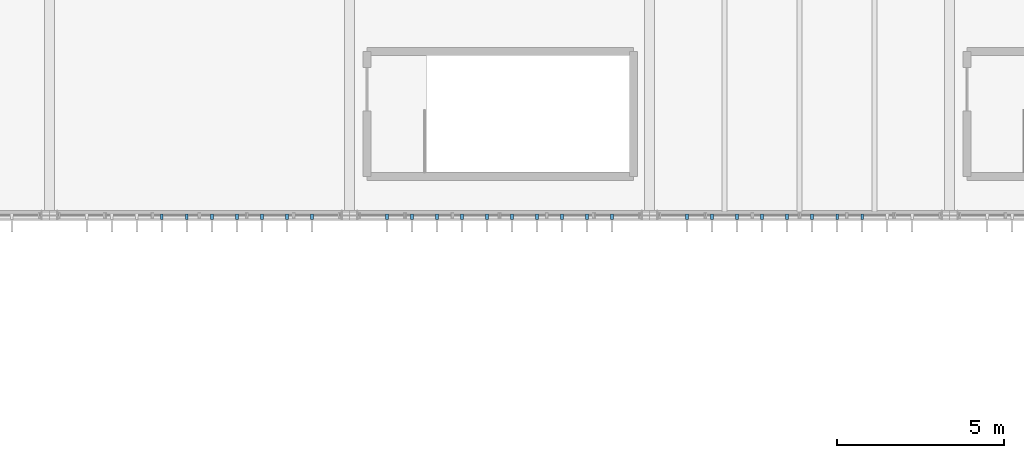
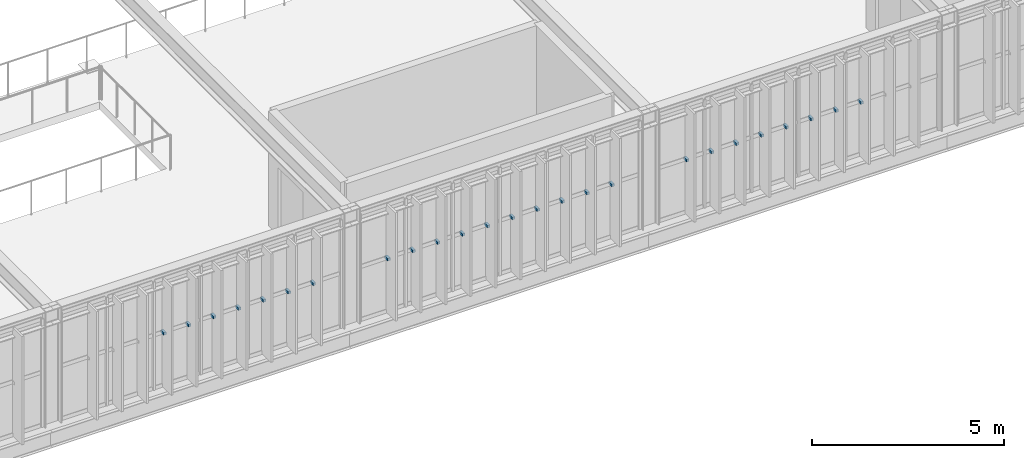
# One storey, part 128 of 152: 25 discrete accessories.
"""IFC4 building model written with IfcOpenShell, lengths in metres."""

from ifc_helpers import new_model, si_unit, derived_unit, direction, frame, origin, origin_2d, place, context, subcontext, project, spatial, rectangle, extrude, material, type_object, element, save


model = new_model("IFC4")

# Units and contexts
model_context = context("Model", 3, precision=1e-05, world=origin(), true_north=direction((0.0, 1.0)))
body_context = subcontext(model_context, "Body", "Model", "MODEL_VIEW")
ifc_project = project(units=[si_unit("LENGTHUNIT", "METRE"), si_unit("AREAUNIT", "SQUARE_METRE"), si_unit("VOLUMEUNIT", "CUBIC_METRE"), si_unit("PLANEANGLEUNIT", "RADIAN"), si_unit("MASSUNIT", "GRAM", prefix="KILO"), si_unit("THERMODYNAMICTEMPERATUREUNIT", "KELVIN"), si_unit("TIMEUNIT", "SECOND"), derived_unit("THERMALTRANSMITTANCEUNIT", [(si_unit("MASSUNIT", "GRAM", prefix="KILO"), 1), (si_unit("THERMODYNAMICTEMPERATUREUNIT", "KELVIN"), -1), (si_unit("TIMEUNIT", "SECOND"), -3)])], contexts=[model_context])

# Site, building, storey
site_placement = place(None, origin())
site = spatial("IfcSite", under=ifc_project, at=site_placement, CompositionType="ELEMENT")
building_placement = place(site_placement, origin())
building = spatial("IfcBuilding", under=site, at=building_placement, Name="Cambertide Market Hall", CompositionType="ELEMENT")
storey_placement = place(building_placement, frame((0.0, 0.0, 5.39990234375)))
storey = spatial("IfcBuildingStorey", under=building, at=storey_placement, Name="L02", CompositionType="ELEMENT", Elevation=5.39990234375)

# Discrete accessories
ifc_material = material(Name="Stainless Steel Grade 316", Category="metal")
discrete_accessory_type = type_object("IfcDiscreteAccessoryType", Name="Stainless Fin Outrigger Tie Bracket", PredefinedType="BRACKET", material=ifc_material)
for number, where, z_axis, x_axis, name in (
    (1, (58.875, 51.9599609375, 1.68505859375), (0.0, 0.0, 1.0), (-1.0, 0.0, 0.0), "CW-V1S-L02-2 Fin Tie Bracket 1"),
    (2, (58.125, 51.9599609375, 1.68505859375), (0.0, 0.0, 1.0), (-1.0, 0.0, 0.0), "CW-V1S-L02-2 Fin Tie Bracket 2"),
    (3, (57.375, 51.9599609375, 1.68505859375), (0.0, 0.0, 1.0), (-1.0, 0.0, 0.0), "CW-V1S-L02-2 Fin Tie Bracket 3"),
    (4, (56.625, 51.9599609375, 1.68505859375), (0.0, 0.0, 1.0), (-1.0, 0.0, 0.0), "CW-V1S-L02-2 Fin Tie Bracket 4"),
    (5, (55.875, 51.9599609375, 1.68505859375), (0.0, 0.0, 1.0), (-1.0, 0.0, 0.0), "CW-V1S-L02-2 Fin Tie Bracket 5"),
    (6, (55.125, 51.9599609375, 1.68505859375), (0.0, 0.0, 1.0), (-1.0, 0.0, 0.0), "CW-V1S-L02-2 Fin Tie Bracket 6"),
    (7, (54.375, 51.9599609375, 1.68505859375), (0.0, 0.0, 1.0), (-1.0, 0.0, 0.0), "CW-V1S-L02-2 Fin Tie Bracket 7"),
    (8, (67.875, 51.9599609375, 1.68505859375), (0.0, 0.0, 1.0), (-1.0, 0.0, 0.0), "CW-V1S-L02-3 Fin Tie Bracket 1"),
    (9, (67.125, 51.9599609375, 1.68505859375), (0.0, 0.0, 1.0), (-1.0, 0.0, 0.0), "CW-V1S-L02-3 Fin Tie Bracket 2"),
    (10, (66.375, 51.9599609375, 1.68505859375), (0.0, 0.0, 1.0), (-1.0, 0.0, 0.0), "CW-V1S-L02-3 Fin Tie Bracket 3"),
    (11, (65.625, 51.9599609375, 1.68505859375), (0.0, 0.0, 1.0), (-1.0, 0.0, 0.0), "CW-V1S-L02-3 Fin Tie Bracket 4"),
    (12, (64.875, 51.9599609375, 1.68505859375), (0.0, 0.0, 1.0), (-1.0, 0.0, 0.0), "CW-V1S-L02-3 Fin Tie Bracket 5"),
    (13, (64.125, 51.9599609375, 1.68505859375), (0.0, 0.0, 1.0), (-1.0, 0.0, 0.0), "CW-V1S-L02-3 Fin Tie Bracket 6"),
    (14, (63.375, 51.9599609375, 1.68505859375), (0.0, 0.0, 1.0), (-1.0, 0.0, 0.0), "CW-V1S-L02-3 Fin Tie Bracket 7"),
    (15, (62.625, 51.9599609375, 1.68505859375), (0.0, 0.0, 1.0), (-1.0, 0.0, 0.0), "CW-V1S-L02-3 Fin Tie Bracket 8"),
    (16, (61.875, 51.9599609375, 1.68505859375), (0.0, 0.0, 1.0), (-1.0, 0.0, 0.0), "CW-V1S-L02-3 Fin Tie Bracket 9"),
    (17, (61.125, 51.9599609375, 1.68505859375), (0.0, 0.0, 1.0), (-1.0, 0.0, 0.0), "CW-V1S-L02-3 Fin Tie Bracket 10"),
    (18, (75.375, 51.9599609375, 1.68505859375), (0.0, 0.0, 1.0), (-1.0, 0.0, 0.0), "CW-V1S-L02-4 Fin Tie Bracket 3"),
    (19, (74.625, 51.9599609375, 1.68505859375), (0.0, 0.0, 1.0), (-1.0, 0.0, 0.0), "CW-V1S-L02-4 Fin Tie Bracket 4"),
    (20, (73.875, 51.9599609375, 1.68505859375), (0.0, 0.0, 1.0), (-1.0, 0.0, 0.0), "CW-V1S-L02-4 Fin Tie Bracket 5"),
    (21, (73.125, 51.9599609375, 1.68505859375), (0.0, 0.0, 1.0), (-1.0, 0.0, 0.0), "CW-V1S-L02-4 Fin Tie Bracket 6"),
    (22, (72.375, 51.9599609375, 1.68505859375), (0.0, 0.0, 1.0), (-1.0, 0.0, 0.0), "CW-V1S-L02-4 Fin Tie Bracket 7"),
    (23, (71.625, 51.9599609375, 1.68505859375), (0.0, 0.0, 1.0), (-1.0, 0.0, 0.0), "CW-V1S-L02-4 Fin Tie Bracket 8"),
    (24, (70.875, 51.9599609375, 1.68505859375), (0.0, 0.0, 1.0), (-1.0, 0.0, 0.0), "CW-V1S-L02-4 Fin Tie Bracket 9"),
    (25, (70.125, 51.9599609375, 1.68505859375), (0.0, 0.0, 1.0), (-1.0, 0.0, 0.0), "CW-V1S-L02-4 Fin Tie Bracket 10"),
):
    element("IfcDiscreteAccessory", number, at=place(storey_placement, frame(where, z_axis=z_axis, x_axis=x_axis)), inside=storey, type_object=discrete_accessory_type, Name=name, PredefinedType="BRACKET", context=body_context, shape_type="SweptSolid", body=[
        extrude(rectangle(XDim=0.080078125, YDim=0.159912109375, at=origin_2d()), origin(), (0.0, 0.0, 1.0), 0.080078125),
    ])

save(model, "model.ifc")
